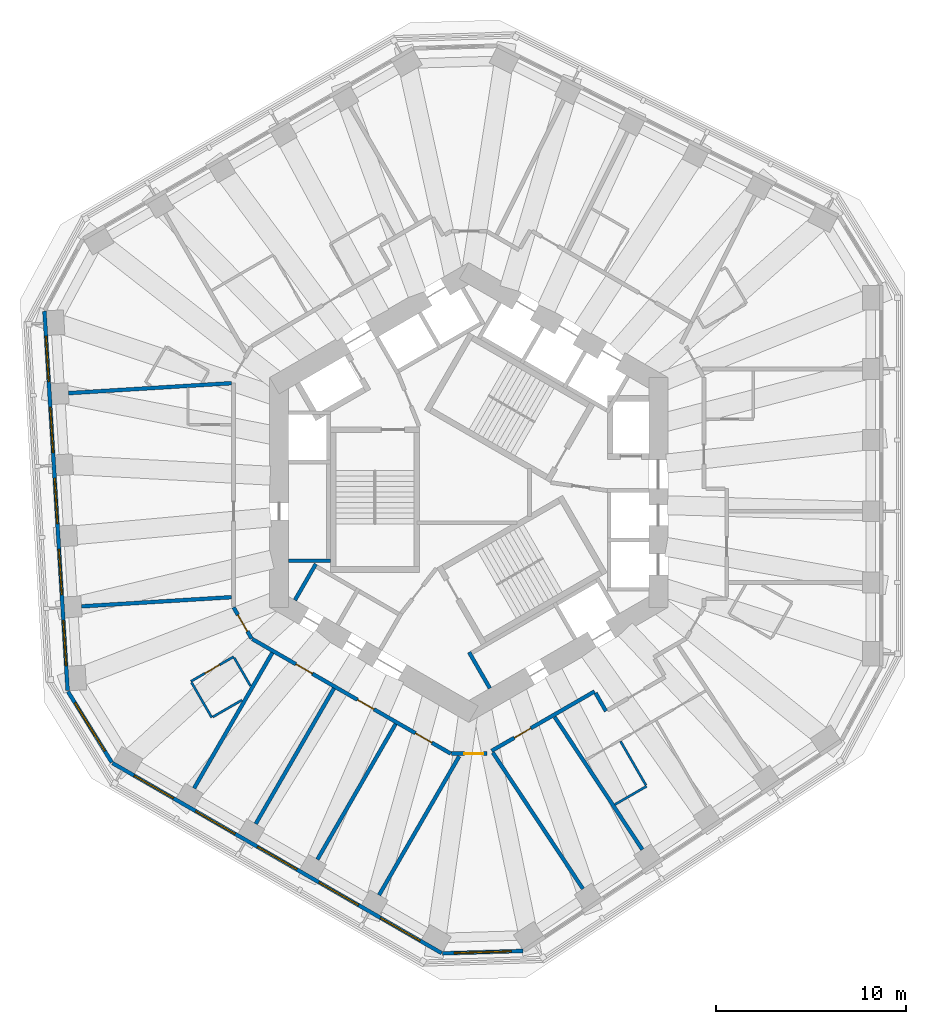
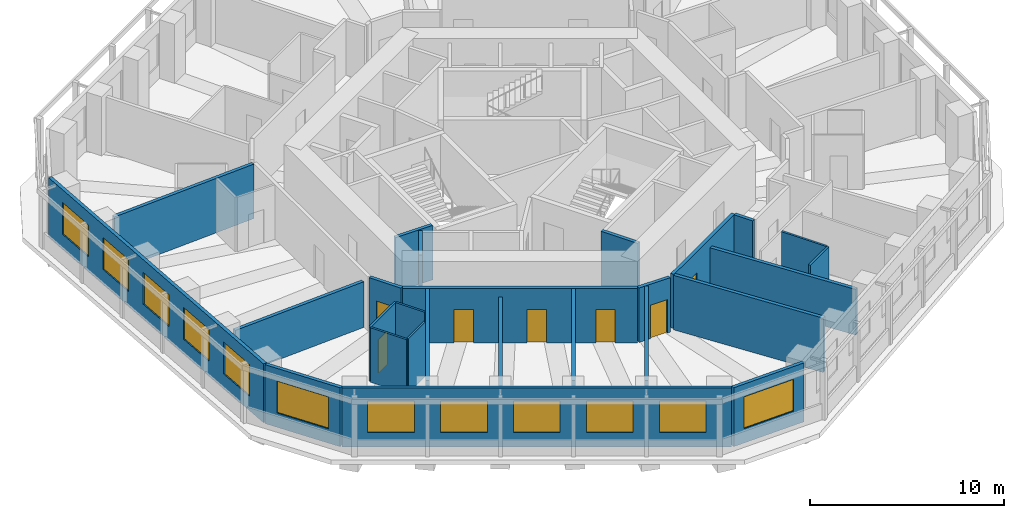
# One storey, part 4 of 12: 26 walls, 12 windows, 7 doors, 19 openings.
"""IFC4 building model written with IfcOpenShell, lengths in metres."""

from ifc_helpers import new_model, si_unit, direction, frame, frame_2d, origin, place, context, subcontext, project, spatial, rectangle, extrude, material, layer, layer_set, type_object, element, fill, save


model = new_model("IFC4")

# Units and contexts
model_context = context("Model", 3, precision=1e-05, world=origin(), true_north=direction((0.0, 1.0)))
body_context = subcontext(model_context, "Body", "Model", "MODEL_VIEW")
ifc_project = project(units=[si_unit("LENGTHUNIT", "METRE"), si_unit("AREAUNIT", "SQUARE_METRE"), si_unit("VOLUMEUNIT", "CUBIC_METRE"), si_unit("PLANEANGLEUNIT", "RADIAN"), si_unit("MASSUNIT", "GRAM", prefix="KILO")], contexts=[model_context])

# Site, building, storey
site_placement = place(None, origin())
site = spatial("IfcSite", under=ifc_project, at=site_placement, CompositionType="ELEMENT")
building_placement = place(site_placement, origin())
building = spatial("IfcBuilding", under=site, at=building_placement, Name="Vanh Sen Convention Tower", CompositionType="ELEMENT")
storey_placement = place(building_placement, frame((0.0, 0.0, 124.39990234375)))
storey = spatial("IfcBuildingStorey", under=building, at=storey_placement, Name="L30", CompositionType="ELEMENT", Elevation=124.39990234375)

# Wall, opening, door
ifc_material_1 = material(Name="Moisture-resistant gypsum board on steel studs", Category="steel")
ifc_layer_1 = layer(ifc_material_1, 0.1201171875)
ifc_layer_set_1 = layer_set([ifc_layer_1], Name="Moisture-resistant gypsum board on steel studs")
wall_type_1 = type_object("IfcWallType", Name="Bathroom partition 120", PredefinedType="PARTITIONING", material=ifc_layer_set_1)
wall_1_placement = place(storey_placement, frame((-14.652587890625, -9.960693359375, 0.0), z_axis=(0.0, 0.0, 1.0), x_axis=(0.866021400173, 0.500006934395, 0.0)))
wall_1 = element("IfcWall", 1, at=wall_1_placement, inside=storey, type_object=wall_type_1, Name="Bathroom partition 120", PredefinedType="PARTITIONING", context=body_context, shape_type="SweptSolid", body=[
    extrude(rectangle(XDim=2.60009765625, YDim=0.1201171875, at=frame_2d((1.300048828125, 0.0))), origin(), (0.0, 0.0, 1.0), 3.420166015625),
])
opening_1_placement = place(wall_1_placement, frame((0.85009765625, 0.0, 0.0)))
opening_1 = element("IfcOpeningElement", 2, at=opening_1_placement, cuts=wall_1, Name="Opening D30118", PredefinedType="OPENING", context=body_context, shape_type="SweptSolid", body=[
    extrude(rectangle(XDim=0.89990234375, YDim=2.10009765625, at=frame_2d((0.449951171875, 1.050048828125))), frame((0.0, 0.070068359375, 0.0), z_axis=(0.0, -1.0, 0.0), x_axis=(1.0, 0.0, 0.0)), (0.0, 0.0, 1.0), 0.14013671875),
])
ifc_material_2 = material(Name="Laminate door in steel frame", Category="steel")
door_type_1 = type_object("IfcDoorType", Name="Room internal door 900", OperationType="SINGLE_SWING_LEFT", PredefinedType="DOOR", material=ifc_material_2)
door_1_placement = place(opening_1_placement, origin())
door_1 = element("IfcDoor", 3, at=door_1_placement, inside=storey, type_object=door_type_1, Name="Internal room door D30118", OperationType="SINGLE_SWING_LEFT", OverallHeight=2.10009765625, OverallWidth=0.89990234375, PredefinedType="DOOR", context=body_context, shape_type="SweptSolid", body=[
    extrude(rectangle(XDim=0.89990234375, YDim=2.10009765625, at=frame_2d((0.449951171875, 1.050048828125))), frame((0.0, 0.02490234375, 0.0), z_axis=(0.0, -1.0, 0.0), x_axis=(1.0, 0.0, 0.0)), (0.0, 0.0, 1.0), 0.050048828125),
])
fill(opening_1, door_1)

# Walls
wall_2_placement = place(storey_placement, frame((-13.552490234375, -11.865966796875, 0.0), z_axis=(0.0, 0.0, 1.0), x_axis=(-0.500028586798, 0.86600889856, 0.0)))
element("IfcWall", 4, at=wall_2_placement, inside=storey, type_object=wall_type_1, Name="Bathroom partition 120", PredefinedType="PARTITIONING", context=body_context, shape_type="SweptSolid", body=[
    extrude(rectangle(XDim=2.139892578125, YDim=0.1201171875, at=frame_2d((1.06982421875, 0.0))), origin(), (0.0, 0.0, 1.0), 3.420166015625),
])
wall_3_placement = place(storey_placement, frame((-12.370849609375, -8.712646484375, 0.0), z_axis=(0.0, 0.0, 1.0), x_axis=(0.499910907645, -0.86607683517, 0.0)))
element("IfcWall", 5, at=wall_3_placement, inside=storey, type_object=wall_type_1, Name="Bathroom partition 120", PredefinedType="PARTITIONING", context=body_context, shape_type="SweptSolid", body=[
    extrude(rectangle(XDim=1.719482421875, YDim=0.1201171875, at=frame_2d((0.85986328125, 0.0))), origin(), (0.0, 0.0, 1.0), 3.420166015625),
])
wall_4_placement = place(storey_placement, frame((-11.96435546875, -10.948974609375, 0.0), z_axis=(0.0, 0.0, 1.0), x_axis=(-0.86600680221, -0.500032217487, 0.0)))
element("IfcWall", 6, at=wall_4_placement, inside=storey, type_object=wall_type_1, Name="Bathroom partition 120", PredefinedType="PARTITIONING", context=body_context, shape_type="SweptSolid", body=[
    extrude(rectangle(XDim=1.77392578125, YDim=0.1201171875, at=frame_2d((0.886962890625, 0.0))), origin(), (0.0, 0.0, 1.0), 3.420166015625),
])
wall_5_placement = place(storey_placement, frame((7.699951171875, -16.45556640625, 0.0), z_axis=(0.0, 0.0, 1.0), x_axis=(0.86603803935, 0.499978113919, 0.0)))
element("IfcWall", 7, at=wall_5_placement, inside=storey, type_object=wall_type_1, Name="Bathroom partition 120", PredefinedType="PARTITIONING", context=body_context, shape_type="SweptSolid", body=[
    extrude(rectangle(XDim=1.9287109375, YDim=0.1201171875, at=frame_2d((0.96435546875, 0.0))), origin(), (0.0, 0.0, 1.0), 3.420166015625),
])
wall_6_placement = place(storey_placement, frame((9.34033203125, -15.439208984375, 0.0), z_axis=(0.0, 0.0, 1.0), x_axis=(-0.500048396672, 0.86599746015, 0.0)))
element("IfcWall", 8, at=wall_6_placement, inside=storey, type_object=wall_type_1, Name="Bathroom partition 120", PredefinedType="PARTITIONING", context=body_context, shape_type="SweptSolid", body=[
    extrude(rectangle(XDim=2.679931640625, YDim=0.1201171875, at=frame_2d((1.33984375, 0.0))), origin(), (0.0, 0.0, 1.0), 3.420166015625),
])

# Wall, opening, door
ifc_material_3 = material(Name="Gypsum board on steel studs with mineral wool", Category="steel")
ifc_layer_2 = layer(ifc_material_3, 0.199951171875)
ifc_layer_set_2 = layer_set([ifc_layer_2], Name="Gypsum board on steel studs with mineral wool")
wall_type_2 = type_object("IfcWallType", Name="Corridor partition wall 200", PredefinedType="PARTITIONING", material=ifc_layer_set_2)
wall_7_placement = place(storey_placement, frame((-12.39990234375, -6.062255859375, 0.0), z_axis=(0.0, 0.0, 1.0), x_axis=(0.500022797313, -0.86601224135, 0.0)))
wall_7 = element("IfcWall", 9, at=wall_7_placement, inside=storey, type_object=wall_type_2, Name="Corridor partition wall 200", PredefinedType="PARTITIONING", context=body_context, shape_type="SweptSolid", body=[
    extrude(rectangle(XDim=1.89990234375, YDim=0.199951171875, at=frame_2d((0.949951171875, 0.0))), origin(), (0.0, 0.0, 1.0), 3.420166015625),
])
opening_2_placement = place(wall_7_placement, frame((0.449951171875, 0.0, 0.0)))
opening_2 = element("IfcOpeningElement", 10, at=opening_2_placement, cuts=wall_7, Name="Opening D30117", PredefinedType="OPENING", context=body_context, shape_type="SweptSolid", body=[
    extrude(rectangle(XDim=1.0, YDim=2.10009765625, at=frame_2d((0.5, 1.050048828125))), frame((0.0, 0.10986328125, 0.0), z_axis=(0.0, -1.0, 0.0), x_axis=(1.0, 0.0, 0.0)), (0.0, 0.0, 1.0), 0.219970703125),
])
ifc_material_4 = material(Name="Glazed fire door in steel frame", Category="steel")
door_type_2 = type_object("IfcDoorType", Name="Tenant entrance door 1000", OperationType="SINGLE_SWING_LEFT", PredefinedType="DOOR", material=ifc_material_4)
door_2_placement = place(opening_2_placement, origin())
door_2 = element("IfcDoor", 11, at=door_2_placement, inside=storey, type_object=door_type_2, Name="Tenant suite entrance door D30117", OperationType="SINGLE_SWING_LEFT", OverallHeight=2.10009765625, OverallWidth=1.0, PredefinedType="DOOR", context=body_context, shape_type="SweptSolid", body=[
    extrude(rectangle(XDim=1.0, YDim=2.10009765625, at=frame_2d((0.5, 1.050048828125))), frame((0.0, 0.02490234375, 0.0), z_axis=(0.0, -1.0, 0.0), x_axis=(1.0, 0.0, 0.0)), (0.0, 0.0, 1.0), 0.050048828125),
])
fill(opening_2, door_2)

# Wall, openings, doors
wall_8_placement = place(storey_placement, frame((-11.415283203125, -7.7275390625, 0.0), z_axis=(0.0, 0.0, 1.0), x_axis=(0.866022749921, -0.500004596598, 0.0)))
wall_8 = element("IfcWall", 12, at=wall_8_placement, inside=storey, type_object=wall_type_2, Name="Corridor partition wall 200", PredefinedType="PARTITIONING", context=body_context, shape_type="SweptSolid", body=[
    extrude(rectangle(XDim=12.08447265625, YDim=0.199951171875, at=frame_2d((6.042236328125, 0.0))), origin(), (0.0, 0.0, 1.0), 3.420166015625),
])
opening_3_placement = place(wall_8_placement, frame((2.65234375, 0.0, 0.0)))
opening_3 = element("IfcOpeningElement", 13, at=opening_3_placement, cuts=wall_8, Name="Opening D30119", PredefinedType="OPENING", context=body_context, shape_type="SweptSolid", body=[
    extrude(rectangle(XDim=1.0, YDim=2.10009765625, at=frame_2d((0.5, 1.050048828125))), frame((0.0, 0.10986328125, 0.0), z_axis=(0.0, -1.0, 0.0), x_axis=(1.0, 0.0, 0.0)), (0.0, 0.0, 1.0), 0.219970703125),
])
opening_4_placement = place(wall_8_placement, frame((6.406494140625, 0.0, 0.0)))
opening_4 = element("IfcOpeningElement", 14, at=opening_4_placement, cuts=wall_8, Name="Opening D30120", PredefinedType="OPENING", context=body_context, shape_type="SweptSolid", body=[
    extrude(rectangle(XDim=1.0, YDim=2.10009765625, at=frame_2d((0.5, 1.050048828125))), frame((0.0, 0.10986328125, 0.0), z_axis=(0.0, -1.0, 0.0), x_axis=(1.0, 0.0, 0.0)), (0.0, 0.0, 1.0), 0.219970703125),
])
opening_5_placement = place(wall_8_placement, frame((9.93408203125, 0.0, 0.0)))
opening_5 = element("IfcOpeningElement", 15, at=opening_5_placement, cuts=wall_8, Name="Opening D30121", PredefinedType="OPENING", context=body_context, shape_type="SweptSolid", body=[
    extrude(rectangle(XDim=1.0, YDim=2.10009765625, at=frame_2d((0.5, 1.050048828125))), frame((0.0, 0.10986328125, 0.0), z_axis=(0.0, -1.0, 0.0), x_axis=(1.0, 0.0, 0.0)), (0.0, 0.0, 1.0), 0.219970703125),
])
door_3_placement = place(opening_3_placement, origin())
door_3 = element("IfcDoor", 16, at=door_3_placement, inside=storey, type_object=door_type_2, Name="Tenant suite entrance door D30119", OperationType="SINGLE_SWING_LEFT", OverallHeight=2.10009765625, OverallWidth=1.0, PredefinedType="DOOR", context=body_context, shape_type="SweptSolid", body=[
    extrude(rectangle(XDim=1.0, YDim=2.10009765625, at=frame_2d((0.5, 1.050048828125))), frame((0.0, 0.02490234375, 0.0), z_axis=(0.0, -1.0, 0.0), x_axis=(1.0, 0.0, 0.0)), (0.0, 0.0, 1.0), 0.050048828125),
])
fill(opening_3, door_3)
door_4_placement = place(opening_4_placement, origin())
door_4 = element("IfcDoor", 17, at=door_4_placement, inside=storey, type_object=door_type_2, Name="Tenant suite entrance door D30120", OperationType="SINGLE_SWING_LEFT", OverallHeight=2.10009765625, OverallWidth=1.0, PredefinedType="DOOR", context=body_context, shape_type="SweptSolid", body=[
    extrude(rectangle(XDim=1.0, YDim=2.10009765625, at=frame_2d((0.5, 1.050048828125))), frame((0.0, 0.02490234375, 0.0), z_axis=(0.0, -1.0, 0.0), x_axis=(1.0, 0.0, 0.0)), (0.0, 0.0, 1.0), 0.050048828125),
])
fill(opening_4, door_4)
door_5_placement = place(opening_5_placement, origin())
door_5 = element("IfcDoor", 18, at=door_5_placement, inside=storey, type_object=door_type_2, Name="Tenant suite entrance door D30121", OperationType="SINGLE_SWING_LEFT", OverallHeight=2.10009765625, OverallWidth=1.0, PredefinedType="DOOR", context=body_context, shape_type="SweptSolid", body=[
    extrude(rectangle(XDim=1.0, YDim=2.10009765625, at=frame_2d((0.5, 1.050048828125))), frame((0.0, 0.02490234375, 0.0), z_axis=(0.0, -1.0, 0.0), x_axis=(1.0, 0.0, 0.0)), (0.0, 0.0, 1.0), 0.050048828125),
])
fill(opening_5, door_5)

# Wall, opening, door
wall_9_placement = place(storey_placement, frame((-0.909912109375, -13.769775390625, 0.0), z_axis=(0.0, 0.0, 1.0), x_axis=(1.0, 0.0, 0.0)))
wall_9 = element("IfcWall", 19, at=wall_9_placement, inside=storey, type_object=wall_type_2, Name="Corridor partition wall 200", PredefinedType="PARTITIONING", context=body_context, shape_type="SweptSolid", body=[
    extrude(rectangle(XDim=1.85986328125, YDim=0.199951171875, at=frame_2d((0.929931640625, 0.0))), origin(), (0.0, 0.0, 1.0), 3.420166015625),
])
opening_6_placement = place(wall_9_placement, frame((0.671630859375, 0.0, 0.0)))
opening_6 = element("IfcOpeningElement", 20, at=opening_6_placement, cuts=wall_9, Name="Opening D30122", PredefinedType="OPENING", context=body_context, shape_type="SweptSolid", body=[
    extrude(rectangle(XDim=1.0, YDim=2.10009765625, at=frame_2d((0.5, 1.050048828125))), frame((0.0, 0.10986328125, 0.0), z_axis=(0.0, -1.0, 0.0), x_axis=(1.0, 0.0, 0.0)), (0.0, 0.0, 1.0), 0.219970703125),
])
door_6_placement = place(opening_6_placement, origin())
door_6 = element("IfcDoor", 21, at=door_6_placement, inside=storey, type_object=door_type_2, Name="Tenant suite entrance door D30122", OperationType="SINGLE_SWING_LEFT", OverallHeight=2.10009765625, OverallWidth=1.0, PredefinedType="DOOR", context=body_context, shape_type="SweptSolid", body=[
    extrude(rectangle(XDim=1.0, YDim=2.10009765625, at=frame_2d((0.5, 1.050048828125))), frame((0.0, 0.02490234375, 0.0), z_axis=(0.0, -1.0, 0.0), x_axis=(1.0, 0.0, 0.0)), (0.0, 0.0, 1.0), 0.050048828125),
])
fill(opening_6, door_6)

wall_10_placement = place(storey_placement, frame((1.20361328125, -13.623291015625, 0.0), z_axis=(0.0, 0.0, 1.0), x_axis=(0.866031867142, 0.49998880497, 0.0)))
wall_10 = element("IfcWall", 22, at=wall_10_placement, inside=storey, type_object=wall_type_2, Name="Corridor partition wall 200", PredefinedType="PARTITIONING", context=body_context, shape_type="SweptSolid", body=[
    extrude(rectangle(XDim=6.268310546875, YDim=0.199951171875, at=frame_2d((3.13427734375, 0.0))), origin(), (0.0, 0.0, 1.0), 3.420166015625),
])
opening_7_placement = place(wall_10_placement, frame((1.380615234375, 0.0, 0.0)))
opening_7 = element("IfcOpeningElement", 23, at=opening_7_placement, cuts=wall_10, Name="Opening D30123", PredefinedType="OPENING", context=body_context, shape_type="SweptSolid", body=[
    extrude(rectangle(XDim=1.0, YDim=2.10009765625, at=frame_2d((0.5, 1.050048828125))), frame((0.0, 0.10986328125, 0.0), z_axis=(0.0, -1.0, 0.0), x_axis=(1.0, 0.0, 0.0)), (0.0, 0.0, 1.0), 0.219970703125),
])
door_7_placement = place(opening_7_placement, origin())
door_7 = element("IfcDoor", 24, at=door_7_placement, inside=storey, type_object=door_type_2, Name="Tenant suite entrance door D30123", OperationType="SINGLE_SWING_LEFT", OverallHeight=2.10009765625, OverallWidth=1.0, PredefinedType="DOOR", context=body_context, shape_type="SweptSolid", body=[
    extrude(rectangle(XDim=1.0, YDim=2.10009765625, at=frame_2d((0.5, 1.050048828125))), frame((0.0, 0.02490234375, 0.0), z_axis=(0.0, -1.0, 0.0), x_axis=(1.0, 0.0, 0.0)), (0.0, 0.0, 1.0), 0.050048828125),
])
fill(opening_7, door_7)

# Wall
wall_11_placement = place(storey_placement, frame((6.68212890625, -10.57568359375, 0.0), z_axis=(0.0, 0.0, 1.0), x_axis=(0.499978356969, -0.866037899034, 0.0)))
element("IfcWall", 25, at=wall_11_placement, inside=storey, type_object=wall_type_2, Name="Corridor partition wall 200", PredefinedType="PARTITIONING", context=body_context, shape_type="SweptSolid", body=[
    extrude(rectangle(XDim=1.10107421875, YDim=0.199951171875, at=frame_2d((0.550537109375, 0.0))), origin(), (0.0, 0.0, 1.0), 3.420166015625),
])

# Wall, openings, windows
ifc_material_5 = material(Name="Insulated lightweight infill wall")
ifc_layer_3 = layer(ifc_material_5, 0.199951171875)
ifc_layer_set_3 = layer_set([ifc_layer_3], Name="Insulated lightweight infill wall")
wall_type_3 = type_object("IfcWallType", Name="External wall 200", PredefinedType="STANDARD", material=ifc_layer_set_3)
wall_12_placement = place(storey_placement, frame((-22.375, 9.55712890625, 0.0), z_axis=(0.0, 0.0, 1.0), x_axis=(0.061036015339, -0.998135564356, 0.0)))
wall_12 = element("IfcWall", 26, at=wall_12_placement, inside=storey, type_object=wall_type_3, Name="External wall W L30", PredefinedType="STANDARD", context=body_context, shape_type="SweptSolid", body=[
    extrude(rectangle(XDim=20.043701171875, YDim=0.199951171875, at=frame_2d((10.02197265625, 0.0))), origin(), (0.0, 0.0, 1.0), 3.7001953125),
])
opening_8_placement = place(wall_12_placement, frame((1.312744140625, 0.0, 0.89990234375)))
opening_8 = element("IfcOpeningElement", 27, at=opening_8_placement, cuts=wall_12, Name="Opening WO1-W1", PredefinedType="OPENING", context=body_context, shape_type="SweptSolid", body=[
    extrude(rectangle(XDim=2.39990234375, YDim=2.0, at=frame_2d((1.199951171875, 1.0))), frame((0.0, 0.10986328125, 0.0), z_axis=(0.0, -1.0, 0.0), x_axis=(1.0, 0.0, 0.0)), (0.0, 0.0, 1.0), 0.219970703125),
])
opening_9_placement = place(wall_12_placement, frame((5.06689453125, 0.0, 0.89990234375)))
opening_9 = element("IfcOpeningElement", 28, at=opening_9_placement, cuts=wall_12, Name="Opening WO1-W2", PredefinedType="OPENING", context=body_context, shape_type="SweptSolid", body=[
    extrude(rectangle(XDim=2.39990234375, YDim=2.0, at=frame_2d((1.199951171875, 1.0))), frame((0.0, 0.10986328125, 0.0), z_axis=(0.0, -1.0, 0.0), x_axis=(1.0, 0.0, 0.0)), (0.0, 0.0, 1.0), 0.219970703125),
])
opening_10_placement = place(wall_12_placement, frame((8.821044921875, 0.0, 0.89990234375)))
opening_10 = element("IfcOpeningElement", 29, at=opening_10_placement, cuts=wall_12, Name="Opening WO1-W3", PredefinedType="OPENING", context=body_context, shape_type="SweptSolid", body=[
    extrude(rectangle(XDim=2.39990234375, YDim=2.0, at=frame_2d((1.199951171875, 1.0))), frame((0.0, 0.10986328125, 0.0), z_axis=(0.0, -1.0, 0.0), x_axis=(1.0, 0.0, 0.0)), (0.0, 0.0, 1.0), 0.219970703125),
])
opening_11_placement = place(wall_12_placement, frame((12.5751953125, 0.0, 0.89990234375)))
opening_11 = element("IfcOpeningElement", 30, at=opening_11_placement, cuts=wall_12, Name="Opening WO1-W4", PredefinedType="OPENING", context=body_context, shape_type="SweptSolid", body=[
    extrude(rectangle(XDim=2.39990234375, YDim=2.0, at=frame_2d((1.199951171875, 1.0))), frame((0.0, 0.10986328125, 0.0), z_axis=(0.0, -1.0, 0.0), x_axis=(1.0, 0.0, 0.0)), (0.0, 0.0, 1.0), 0.219970703125),
])
opening_12_placement = place(wall_12_placement, frame((16.329345703125, 0.0, 0.89990234375)))
opening_12 = element("IfcOpeningElement", 31, at=opening_12_placement, cuts=wall_12, Name="Opening WO1-W5", PredefinedType="OPENING", context=body_context, shape_type="SweptSolid", body=[
    extrude(rectangle(XDim=2.39990234375, YDim=2.0, at=frame_2d((1.199951171875, 1.0))), frame((0.0, 0.10986328125, 0.0), z_axis=(0.0, -1.0, 0.0), x_axis=(1.0, 0.0, 0.0)), (0.0, 0.0, 1.0), 0.219970703125),
])
ifc_material_6 = material(Name="Aluminium frame with clear low-emissivity glass", Category="aluminium")
window_type_1 = type_object("IfcWindowType", Name="Office window 2400 x 2000", PartitioningType="SINGLE_PANEL", PredefinedType="WINDOW", material=ifc_material_6)
window_1_placement = place(opening_8_placement, origin())
window_1 = element("IfcWindow", 32, at=window_1_placement, inside=storey, type_object=window_type_1, Name="Window WO1-W1", OverallHeight=2.0, OverallWidth=2.39990234375, PartitioningType="SINGLE_PANEL", PredefinedType="WINDOW", context=body_context, shape_type="SweptSolid", body=[
    extrude(rectangle(XDim=2.39990234375, YDim=2.0, at=frame_2d((1.199951171875, 1.0))), frame((0.0, 0.030029296875, 0.0), z_axis=(0.0, -1.0, 0.0), x_axis=(1.0, 0.0, 0.0)), (0.0, 0.0, 1.0), 0.06005859375),
])
fill(opening_8, window_1)
window_2_placement = place(opening_9_placement, origin())
window_2 = element("IfcWindow", 33, at=window_2_placement, inside=storey, type_object=window_type_1, Name="Window WO1-W2", OverallHeight=2.0, OverallWidth=2.39990234375, PartitioningType="SINGLE_PANEL", PredefinedType="WINDOW", context=body_context, shape_type="SweptSolid", body=[
    extrude(rectangle(XDim=2.39990234375, YDim=2.0, at=frame_2d((1.199951171875, 1.0))), frame((0.0, 0.030029296875, 0.0), z_axis=(0.0, -1.0, 0.0), x_axis=(1.0, 0.0, 0.0)), (0.0, 0.0, 1.0), 0.06005859375),
])
fill(opening_9, window_2)
window_3_placement = place(opening_10_placement, origin())
window_3 = element("IfcWindow", 34, at=window_3_placement, inside=storey, type_object=window_type_1, Name="Window WO1-W3", OverallHeight=2.0, OverallWidth=2.39990234375, PartitioningType="SINGLE_PANEL", PredefinedType="WINDOW", context=body_context, shape_type="SweptSolid", body=[
    extrude(rectangle(XDim=2.39990234375, YDim=2.0, at=frame_2d((1.199951171875, 1.0))), frame((0.0, 0.030029296875, 0.0), z_axis=(0.0, -1.0, 0.0), x_axis=(1.0, 0.0, 0.0)), (0.0, 0.0, 1.0), 0.06005859375),
])
fill(opening_10, window_3)
window_4_placement = place(opening_11_placement, origin())
window_4 = element("IfcWindow", 35, at=window_4_placement, inside=storey, type_object=window_type_1, Name="Window WO1-W4", OverallHeight=2.0, OverallWidth=2.39990234375, PartitioningType="SINGLE_PANEL", PredefinedType="WINDOW", context=body_context, shape_type="SweptSolid", body=[
    extrude(rectangle(XDim=2.39990234375, YDim=2.0, at=frame_2d((1.199951171875, 1.0))), frame((0.0, 0.030029296875, 0.0), z_axis=(0.0, -1.0, 0.0), x_axis=(1.0, 0.0, 0.0)), (0.0, 0.0, 1.0), 0.06005859375),
])
fill(opening_11, window_4)
window_5_placement = place(opening_12_placement, origin())
window_5 = element("IfcWindow", 36, at=window_5_placement, inside=storey, type_object=window_type_1, Name="Window WO1-W5", OverallHeight=2.0, OverallWidth=2.39990234375, PartitioningType="SINGLE_PANEL", PredefinedType="WINDOW", context=body_context, shape_type="SweptSolid", body=[
    extrude(rectangle(XDim=2.39990234375, YDim=2.0, at=frame_2d((1.199951171875, 1.0))), frame((0.0, 0.030029296875, 0.0), z_axis=(0.0, -1.0, 0.0), x_axis=(1.0, 0.0, 0.0)), (0.0, 0.0, 1.0), 0.06005859375),
])
fill(opening_12, window_5)

# Wall, opening, window
wall_13_placement = place(storey_placement, frame((-21.13671875, -10.49560546875, 0.0), z_axis=(0.0, 0.0, 1.0), x_axis=(0.526178661629, -0.850374044786, 0.0)))
wall_13 = element("IfcWall", 37, at=wall_13_placement, inside=storey, type_object=wall_type_3, Name="External wall CH4 L30", PredefinedType="STANDARD", context=body_context, shape_type="SweptSolid", body=[
    extrude(rectangle(XDim=4.394775390625, YDim=0.199951171875, at=frame_2d((2.197265625, 0.0))), origin(), (0.0, 0.0, 1.0), 3.7001953125),
])
opening_13_placement = place(wall_13_placement, frame((0.697509765625, 0.0, 0.89990234375)))
opening_13 = element("IfcOpeningElement", 38, at=opening_13_placement, cuts=wall_13, Name="Opening WO2-CH41", PredefinedType="OPENING", context=body_context, shape_type="SweptSolid", body=[
    extrude(rectangle(XDim=3.0, YDim=2.0, at=frame_2d((1.5, 1.0))), frame((0.0, 0.10986328125, 0.0), z_axis=(0.0, -1.0, 0.0), x_axis=(1.0, 0.0, 0.0)), (0.0, 0.0, 1.0), 0.219970703125),
])
window_type_2 = type_object("IfcWindowType", Name="Office window 3000 x 2000", PartitioningType="SINGLE_PANEL", PredefinedType="WINDOW", material=ifc_material_6)
window_6_placement = place(opening_13_placement, origin())
window_6 = element("IfcWindow", 39, at=window_6_placement, inside=storey, type_object=window_type_2, Name="Window WO2-CH41", OverallHeight=2.0, OverallWidth=3.0, PartitioningType="SINGLE_PANEL", PredefinedType="WINDOW", context=body_context, shape_type="SweptSolid", body=[
    extrude(rectangle(XDim=3.0, YDim=2.0, at=frame_2d((1.5, 1.0))), frame((0.0, 0.030029296875, 0.0), z_axis=(0.0, -1.0, 0.0), x_axis=(1.0, 0.0, 0.0)), (0.0, 0.0, 1.0), 0.06005859375),
])
fill(opening_13, window_6)

# Wall, openings, windows
wall_14_placement = place(storey_placement, frame((-18.7890625, -14.266845703125, 0.0), z_axis=(0.0, 0.0, 1.0), x_axis=(0.866023315909, -0.500003616288, 0.0)))
wall_14 = element("IfcWall", 40, at=wall_14_placement, inside=storey, type_object=wall_type_3, Name="External wall SW L30", PredefinedType="STANDARD", context=body_context, shape_type="SweptSolid", body=[
    extrude(rectangle(XDim=20.043701171875, YDim=0.199951171875, at=frame_2d((10.02197265625, 0.0))), origin(), (0.0, 0.0, 1.0), 3.7001953125),
])
opening_14_placement = place(wall_14_placement, frame((1.314453125, 0.0, 0.89990234375)))
opening_14 = element("IfcOpeningElement", 41, at=opening_14_placement, cuts=wall_14, Name="Opening WO1-SW1", PredefinedType="OPENING", context=body_context, shape_type="SweptSolid", body=[
    extrude(rectangle(XDim=2.39990234375, YDim=2.0, at=frame_2d((1.199951171875, 1.0))), frame((0.0, 0.10986328125, 0.0), z_axis=(0.0, -1.0, 0.0), x_axis=(1.0, 0.0, 0.0)), (0.0, 0.0, 1.0), 0.219970703125),
])
opening_15_placement = place(wall_14_placement, frame((5.068603515625, 0.0, 0.89990234375)))
opening_15 = element("IfcOpeningElement", 42, at=opening_15_placement, cuts=wall_14, Name="Opening WO1-SW2", PredefinedType="OPENING", context=body_context, shape_type="SweptSolid", body=[
    extrude(rectangle(XDim=2.39990234375, YDim=2.0, at=frame_2d((1.199951171875, 1.0))), frame((0.0, 0.10986328125, 0.0), z_axis=(0.0, -1.0, 0.0), x_axis=(1.0, 0.0, 0.0)), (0.0, 0.0, 1.0), 0.219970703125),
])
opening_16_placement = place(wall_14_placement, frame((8.82275390625, 0.0, 0.89990234375)))
opening_16 = element("IfcOpeningElement", 43, at=opening_16_placement, cuts=wall_14, Name="Opening WO1-SW3", PredefinedType="OPENING", context=body_context, shape_type="SweptSolid", body=[
    extrude(rectangle(XDim=2.39990234375, YDim=2.0, at=frame_2d((1.199951171875, 1.0))), frame((0.0, 0.10986328125, 0.0), z_axis=(0.0, -1.0, 0.0), x_axis=(1.0, 0.0, 0.0)), (0.0, 0.0, 1.0), 0.219970703125),
])
opening_17_placement = place(wall_14_placement, frame((12.576904296875, 0.0, 0.89990234375)))
opening_17 = element("IfcOpeningElement", 44, at=opening_17_placement, cuts=wall_14, Name="Opening WO1-SW4", PredefinedType="OPENING", context=body_context, shape_type="SweptSolid", body=[
    extrude(rectangle(XDim=2.39990234375, YDim=2.0, at=frame_2d((1.199951171875, 1.0))), frame((0.0, 0.10986328125, 0.0), z_axis=(0.0, -1.0, 0.0), x_axis=(1.0, 0.0, 0.0)), (0.0, 0.0, 1.0), 0.219970703125),
])
opening_18_placement = place(wall_14_placement, frame((16.330810546875, 0.0, 0.89990234375)))
opening_18 = element("IfcOpeningElement", 45, at=opening_18_placement, cuts=wall_14, Name="Opening WO1-SW5", PredefinedType="OPENING", context=body_context, shape_type="SweptSolid", body=[
    extrude(rectangle(XDim=2.39990234375, YDim=2.0, at=frame_2d((1.199951171875, 1.0))), frame((0.0, 0.10986328125, 0.0), z_axis=(0.0, -1.0, 0.0), x_axis=(1.0, 0.0, 0.0)), (0.0, 0.0, 1.0), 0.219970703125),
])
window_7_placement = place(opening_14_placement, origin())
window_7 = element("IfcWindow", 46, at=window_7_placement, inside=storey, type_object=window_type_1, Name="Window WO1-SW1", OverallHeight=2.0, OverallWidth=2.39990234375, PartitioningType="SINGLE_PANEL", PredefinedType="WINDOW", context=body_context, shape_type="SweptSolid", body=[
    extrude(rectangle(XDim=2.39990234375, YDim=2.0, at=frame_2d((1.199951171875, 1.0))), frame((0.0, 0.030029296875, 0.0), z_axis=(0.0, -1.0, 0.0), x_axis=(1.0, 0.0, 0.0)), (0.0, 0.0, 1.0), 0.06005859375),
])
fill(opening_14, window_7)
window_8_placement = place(opening_15_placement, origin())
window_8 = element("IfcWindow", 47, at=window_8_placement, inside=storey, type_object=window_type_1, Name="Window WO1-SW2", OverallHeight=2.0, OverallWidth=2.39990234375, PartitioningType="SINGLE_PANEL", PredefinedType="WINDOW", context=body_context, shape_type="SweptSolid", body=[
    extrude(rectangle(XDim=2.39990234375, YDim=2.0, at=frame_2d((1.199951171875, 1.0))), frame((0.0, 0.030029296875, 0.0), z_axis=(0.0, -1.0, 0.0), x_axis=(1.0, 0.0, 0.0)), (0.0, 0.0, 1.0), 0.06005859375),
])
fill(opening_15, window_8)
window_9_placement = place(opening_16_placement, origin())
window_9 = element("IfcWindow", 48, at=window_9_placement, inside=storey, type_object=window_type_1, Name="Window WO1-SW3", OverallHeight=2.0, OverallWidth=2.39990234375, PartitioningType="SINGLE_PANEL", PredefinedType="WINDOW", context=body_context, shape_type="SweptSolid", body=[
    extrude(rectangle(XDim=2.39990234375, YDim=2.0, at=frame_2d((1.199951171875, 1.0))), frame((0.0, 0.030029296875, 0.0), z_axis=(0.0, -1.0, 0.0), x_axis=(1.0, 0.0, 0.0)), (0.0, 0.0, 1.0), 0.06005859375),
])
fill(opening_16, window_9)
window_10_placement = place(opening_17_placement, origin())
window_10 = element("IfcWindow", 49, at=window_10_placement, inside=storey, type_object=window_type_1, Name="Window WO1-SW4", OverallHeight=2.0, OverallWidth=2.39990234375, PartitioningType="SINGLE_PANEL", PredefinedType="WINDOW", context=body_context, shape_type="SweptSolid", body=[
    extrude(rectangle(XDim=2.39990234375, YDim=2.0, at=frame_2d((1.199951171875, 1.0))), frame((0.0, 0.030029296875, 0.0), z_axis=(0.0, -1.0, 0.0), x_axis=(1.0, 0.0, 0.0)), (0.0, 0.0, 1.0), 0.06005859375),
])
fill(opening_17, window_10)
window_11_placement = place(opening_18_placement, origin())
window_11 = element("IfcWindow", 50, at=window_11_placement, inside=storey, type_object=window_type_1, Name="Window WO1-SW5", OverallHeight=2.0, OverallWidth=2.39990234375, PartitioningType="SINGLE_PANEL", PredefinedType="WINDOW", context=body_context, shape_type="SweptSolid", body=[
    extrude(rectangle(XDim=2.39990234375, YDim=2.0, at=frame_2d((1.199951171875, 1.0))), frame((0.0, 0.030029296875, 0.0), z_axis=(0.0, -1.0, 0.0), x_axis=(1.0, 0.0, 0.0)), (0.0, 0.0, 1.0), 0.06005859375),
])
fill(opening_18, window_11)

# Wall, opening, window
wall_15_placement = place(storey_placement, frame((-1.377685546875, -24.302001953125, 0.0), z_axis=(0.0, 0.0, 1.0), x_axis=(0.999533857267, 0.030529791629, 0.0)))
wall_15 = element("IfcWall", 51, at=wall_15_placement, inside=storey, type_object=wall_type_3, Name="External wall CH5 L30", PredefinedType="STANDARD", context=body_context, shape_type="SweptSolid", body=[
    extrude(rectangle(XDim=4.23828125, YDim=0.199951171875, at=frame_2d((2.119140625, 0.0))), origin(), (0.0, 0.0, 1.0), 3.7001953125),
])
opening_19_placement = place(wall_15_placement, frame((0.619140625, 0.0, 0.89990234375)))
opening_19 = element("IfcOpeningElement", 52, at=opening_19_placement, cuts=wall_15, Name="Opening WO2-CH51", PredefinedType="OPENING", context=body_context, shape_type="SweptSolid", body=[
    extrude(rectangle(XDim=3.0, YDim=2.0, at=frame_2d((1.5, 1.0))), frame((0.0, 0.10986328125, 0.0), z_axis=(0.0, -1.0, 0.0), x_axis=(1.0, 0.0, 0.0)), (0.0, 0.0, 1.0), 0.219970703125),
])
window_12_placement = place(opening_19_placement, origin())
window_12 = element("IfcWindow", 53, at=window_12_placement, inside=storey, type_object=window_type_2, Name="Window WO2-CH51", OverallHeight=2.0, OverallWidth=3.0, PartitioningType="SINGLE_PANEL", PredefinedType="WINDOW", context=body_context, shape_type="SweptSolid", body=[
    extrude(rectangle(XDim=3.0, YDim=2.0, at=frame_2d((1.5, 1.0))), frame((0.0, 0.030029296875, 0.0), z_axis=(0.0, -1.0, 0.0), x_axis=(1.0, 0.0, 0.0)), (0.0, 0.0, 1.0), 0.06005859375),
])
fill(opening_19, window_12)

# Walls
ifc_material_7 = material(Name="Concrete C40/50", Category="concrete")
ifc_layer_4 = layer(ifc_material_7, 0.199951171875)
ifc_layer_set_4 = layer_set([ifc_layer_4], Name="Concrete C40/50")
wall_type_4 = type_object("IfcWallType", Name="Lift shaft wall 200", PredefinedType="PARTITIONING", material=ifc_layer_set_4)
for number, where, z_axis, x_axis, name in (
    (54, (-7.300048828125, -3.60009765625, 0.0), (0.0, 0.0, 1.0), (-1.0, 0.0, 0.0), "Lift shaft wall L30"),
    (55, (-8.066650390625, -3.77197265625, 0.0), (0.0, 0.0, 1.0), (-0.50002983664, -0.866008176907, 0.0), "Lift shaft wall L30"),
    (56, (0.0126953125, -8.422119140625, 0.0), (0.0, 0.0, 1.0), (0.500077893725, -0.86598042715, 0.0), "Lift shaft wall L30"),
):
    element("IfcWall", number, at=place(storey_placement, frame(where, z_axis=z_axis, x_axis=x_axis)), inside=storey, type_object=wall_type_4, Name=name, PredefinedType="PARTITIONING", context=body_context, shape_type="SweptSolid", body=[
        extrude(rectangle(XDim=2.199951171875, YDim=0.199951171875, at=frame_2d((1.10009765625, 0.0))), origin(), (0.0, 0.0, 1.0), 3.420166015625),
    ])
ifc_layer_5 = layer(ifc_material_3, 0.199951171875)
ifc_layer_set_5 = layer_set([ifc_layer_5], Name="Gypsum board on steel studs with mineral wool")
wall_type_5 = type_object("IfcWallType", Name="Tenant suite wall 200", PredefinedType="PARTITIONING", material=ifc_layer_set_5)
wall_16_placement = place(storey_placement, frame((-21.10888671875, 5.236572265625, 0.0), z_axis=(0.0, 0.0, 1.0), x_axis=(0.998135264293, 0.061040922131, 0.0)))
element("IfcWall", 57, at=wall_16_placement, inside=storey, type_object=wall_type_5, Name="Tenant suite wall 200", PredefinedType="PARTITIONING", context=body_context, shape_type="SweptSolid", body=[
    extrude(rectangle(XDim=8.615234375, YDim=0.199951171875, at=frame_2d((4.3076171875, 0.0))), origin(), (0.0, 0.0, 1.0), 3.420166015625),
])
wall_17_placement = place(storey_placement, frame((-20.42138671875, -6.0048828125, 0.0), z_axis=(0.0, 0.0, 1.0), x_axis=(0.998134865741, 0.061047438866, 0.0)))
element("IfcWall", 58, at=wall_17_placement, inside=storey, type_object=wall_type_5, Name="Tenant suite wall 200", PredefinedType="PARTITIONING", context=body_context, shape_type="SweptSolid", body=[
    extrude(rectangle(XDim=7.926513671875, YDim=0.199951171875, at=frame_2d((3.96337890625, 0.0))), origin(), (0.0, 0.0, 1.0), 2.8701171875),
])
wall_18_placement = place(storey_placement, frame((-14.48583984375, -15.5966796875, 0.0), z_axis=(0.0, 0.0, 1.0), x_axis=(0.499996545922, 0.866027397988, 0.0)))
element("IfcWall", 59, at=wall_18_placement, inside=storey, type_object=wall_type_5, Name="Tenant suite wall 200", PredefinedType="PARTITIONING", context=body_context, shape_type="SweptSolid", body=[
    extrude(rectangle(XDim=8.25, YDim=0.199951171875, at=frame_2d((4.125, 0.0))), origin(), (0.0, 0.0, 1.0), 3.420166015625),
])
wall_19_placement = place(storey_placement, frame((-11.23486328125, -17.4736328125, 0.0), z_axis=(0.0, 0.0, 1.0), x_axis=(0.499996545922, 0.866027397988, 0.0)))
element("IfcWall", 60, at=wall_19_placement, inside=storey, type_object=wall_type_5, Name="Tenant suite wall 200", PredefinedType="PARTITIONING", context=body_context, shape_type="SweptSolid", body=[
    extrude(rectangle(XDim=8.25, YDim=0.199951171875, at=frame_2d((4.125, 0.0))), origin(), (0.0, 0.0, 1.0), 2.8701171875),
])
wall_20_placement = place(storey_placement, frame((-7.983642578125, -19.3505859375, 0.0), z_axis=(0.0, 0.0, 1.0), x_axis=(0.500009360108, 0.866019999656, 0.0)))
element("IfcWall", 61, at=wall_20_placement, inside=storey, type_object=wall_type_5, Name="Tenant suite wall 200", PredefinedType="PARTITIONING", context=body_context, shape_type="SweptSolid", body=[
    extrude(rectangle(XDim=8.249755859375, YDim=0.199951171875, at=frame_2d((4.125, 0.0))), origin(), (0.0, 0.0, 1.0), 3.420166015625),
])
wall_21_placement = place(storey_placement, frame((-4.732421875, -21.227783203125, 0.0), z_axis=(0.0, 0.0, 1.0), x_axis=(0.500000843414, 0.866024916838, 0.0)))
element("IfcWall", 62, at=wall_21_placement, inside=storey, type_object=wall_type_5, Name="Tenant suite wall 200", PredefinedType="PARTITIONING", context=body_context, shape_type="SweptSolid", body=[
    extrude(rectangle(XDim=8.45166015625, YDim=0.199951171875, at=frame_2d((4.225830078125, 0.0))), origin(), (0.0, 0.0, 1.0), 3.420166015625),
])
wall_22_placement = place(storey_placement, frame((6.01953125, -20.899169921875, 0.0), z_axis=(0.0, 0.0, 1.0), x_axis=(-0.551943990108, 0.833881185651, 0.0)))
element("IfcWall", 63, at=wall_22_placement, inside=storey, type_object=wall_type_5, Name="Tenant suite wall 200", PredefinedType="PARTITIONING", context=body_context, shape_type="SweptSolid", body=[
    extrude(rectangle(XDim=8.615234375, YDim=0.199951171875, at=frame_2d((4.3076171875, 0.0))), origin(), (0.0, 0.0, 1.0), 3.420166015625),
])
wall_23_placement = place(storey_placement, frame((9.14990234375, -18.8271484375, 0.0), z_axis=(0.0, 0.0, 1.0), x_axis=(-0.551942527453, 0.833882153777, 0.0)))
element("IfcWall", 64, at=wall_23_placement, inside=storey, type_object=wall_type_5, Name="Tenant suite wall 200", PredefinedType="PARTITIONING", context=body_context, shape_type="SweptSolid", body=[
    extrude(rectangle(XDim=8.3857421875, YDim=0.199951171875, at=frame_2d((4.19287109375, 0.0))), origin(), (0.0, 0.0, 1.0), 2.8701171875),
])

save(model, "model.ifc")
